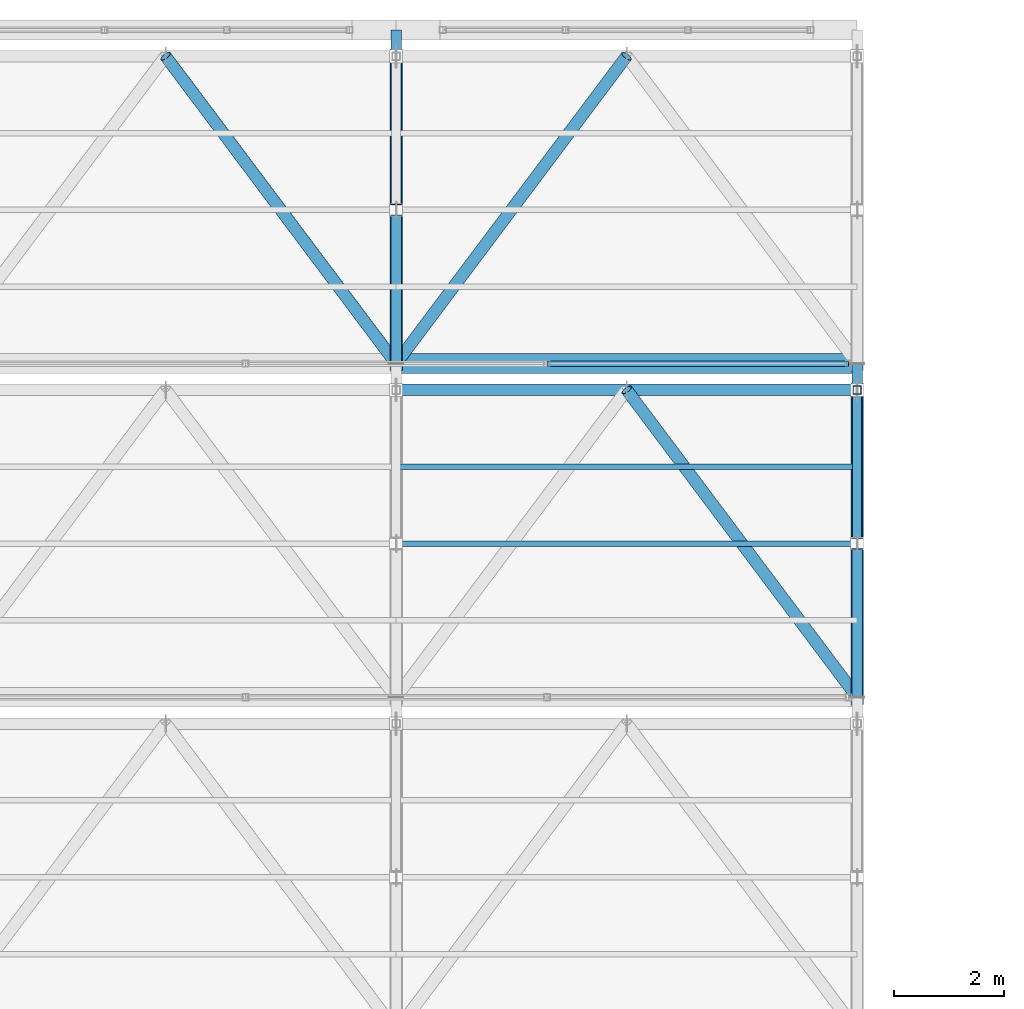
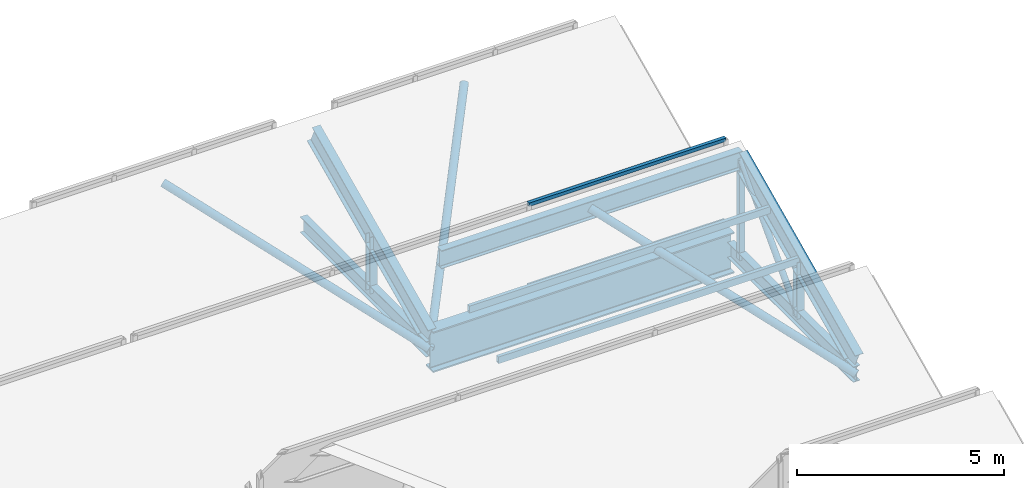
# One storey, part 128 of 217: 16 members, 1 beam, 1 element without a shape of its own.
"""IFC4 building model written with IfcOpenShell, lengths in metres."""

import ifcopenshell
import ifcopenshell.guid

model = None  # the IFC model being written
_history = None  # IfcOwnerHistory: only IFC2X3 demands one
_inside = {}  # id of a spatial element -> (the spatial element, [elements in it])
_under = {}  # id of a project, library or spatial element -> (it, [spatial elements below it])
_declared = {}  # id of a project -> (the project, [libraries it declares])
_typed = {}  # id of a type object -> (the type object, [elements of that type])
_made_of = {}  # id of a material, layer set ... -> (it, [elements and type objects made of it])


def new_model(schema):
    """Start an empty IFC model of exactly this schema.

    Asked for "IFC4X3", IfcOpenShell would pick the latest addendum, in which some entities
    have other attributes; the version numbers below select the first issue.
    IFC2X3 requires an IfcOwnerHistory on every rooted entity: one is made here for all.
    """
    global model, _history
    if schema == "IFC4X3":
        model = ifcopenshell.file(schema_version=(4, 3, 0, 0))
    else:
        model = ifcopenshell.file(schema=schema)
    _inside.clear()
    _under.clear()
    _declared.clear()
    _typed.clear()
    _made_of.clear()
    _history = None
    if model.schema == "IFC2X3":
        org = make("IfcOrganization", Name="unknown")
        user = make(
            "IfcPersonAndOrganization",
            ThePerson=make("IfcPerson", FamilyName="unknown"),
            TheOrganization=org,
        )
        app = make(
            "IfcApplication",
            ApplicationDeveloper=org,
            Version="unknown",
            ApplicationFullName="unknown",
            ApplicationIdentifier="unknown",
        )
        _history = make(
            "IfcOwnerHistory",
            OwningUser=user,
            OwningApplication=app,
            ChangeAction="ADDED",
            CreationDate=0,
        )
    return model


def make(cls, **values):
    """One entity of the class cls with the attributes given. An attribute that is None is left unset."""
    return model.create_entity(
        cls, **{name: value for name, value in values.items() if value is not None}
    )


def rooted(cls, **values):
    """An entity with a GlobalId (a new one), such as an element, a storey or a relation."""
    return make(cls, GlobalId=ifcopenshell.guid.new(), OwnerHistory=_history, **values)


def si_unit(unit_type, name, prefix=None):
    """IfcSIUnit, for example si_unit("LENGTHUNIT", "METRE", prefix="MILLI")."""
    return make("IfcSIUnit", UnitType=unit_type, Prefix=prefix, Name=name)


def assignment(units):
    """IfcUnitAssignment: the units of a project."""
    return None if units is None else make("IfcUnitAssignment", Units=units)


def point(xyz):
    """IfcCartesianPoint."""
    return None if xyz is None else make("IfcCartesianPoint", Coordinates=xyz)


def direction(xyz):
    """IfcDirection."""
    return None if xyz is None else make("IfcDirection", DirectionRatios=xyz)


def frame(location, z_axis=None, x_axis=None):
    """IfcAxis2Placement3D, a coordinate frame: its origin and axes. An axis left out is left unset."""
    return make(
        "IfcAxis2Placement3D",
        Location=point(location),
        Axis=direction(z_axis),
        RefDirection=direction(x_axis),
    )


def frame_2d(location, x_axis=None):
    """IfcAxis2Placement2D, a coordinate frame in the plane: its origin and x axis."""
    return make(
        "IfcAxis2Placement2D", Location=point(location), RefDirection=direction(x_axis)
    )


def origin():
    """The frame at (0, 0, 0) with its axes left unset."""
    return frame((0.0, 0.0, 0.0))


def origin_2d():
    """The frame at (0, 0) in the plane with its x axis left unset."""
    return frame_2d((0.0, 0.0))


def place(relative_to, where):
    """IfcLocalPlacement: puts the frame where relative to a parent placement (None: the world)."""
    return make(
        "IfcLocalPlacement", PlacementRelTo=relative_to, RelativePlacement=where
    )


def context(
    kind, dimensions, precision=None, world=None, true_north=None, identifier=None
):
    """IfcGeometricRepresentationContext, for example the 3D "Model" context."""
    return make(
        "IfcGeometricRepresentationContext",
        ContextIdentifier=identifier,
        ContextType=kind,
        CoordinateSpaceDimension=dimensions,
        Precision=precision,
        WorldCoordinateSystem=world,
        TrueNorth=true_north,
    )


def subcontext(parent, identifier, kind, view, scale=None):
    """IfcGeometricRepresentationSubContext, for example "Body" below "Model"."""
    return make(
        "IfcGeometricRepresentationSubContext",
        ContextIdentifier=identifier,
        ContextType=kind,
        ParentContext=parent,
        TargetScale=scale,
        TargetView=view,
    )


def project(units=None, contexts=None):
    """IfcProject with its units and contexts."""
    return rooted(
        "IfcProject",
        Name="project",
        RepresentationContexts=contexts,
        UnitsInContext=assignment(units),
    )


def spatial(cls, under=None, at=None, **own):
    """A site, building, storey or space (cls), placed at a placement, below another one or the project."""
    s = rooted(cls, ObjectPlacement=at, **own)
    if under is not None:
        _under.setdefault(under.id(), (under, []))[1].append(s)
    return s


def profile(cls, at=None, kind="AREA", **sizes):
    """A parametric profile (cls). Its sizes go by their IFC names, for example OverallWidth=200.0."""
    return make(cls, ProfileType=kind, Position=at, **sizes)


def hollow_rectangle(**sizes):
    """IfcRectangleHollowProfileDef."""
    return profile("IfcRectangleHollowProfileDef", **sizes)


def hollow_circle(**sizes):
    """IfcCircleHollowProfileDef."""
    return profile("IfcCircleHollowProfileDef", **sizes)


def i_section(**sizes):
    """IfcIShapeProfileDef."""
    return profile("IfcIShapeProfileDef", **sizes)


def extrude(swept, where, along, depth):
    """IfcExtrudedAreaSolid: the profile swept, set in the frame where, extruded along a direction by depth."""
    return make(
        "IfcExtrudedAreaSolid",
        SweptArea=swept,
        Position=where,
        ExtrudedDirection=direction(along),
        Depth=depth,
    )


def shape(context_of_items, identifier, shape_type, items):
    """IfcShapeRepresentation: the items that make up one representation, for example the "Body"."""
    return make(
        "IfcShapeRepresentation",
        ContextOfItems=context_of_items,
        RepresentationIdentifier=identifier,
        RepresentationType=shape_type,
        Items=items,
    )


def material(Name=None, Category=None):
    """IfcMaterial."""
    return make("IfcMaterial", Name=Name, Category=Category)


def material_profile(
    of_material, cross_section, Name=None, Category=None, Priority=None
):
    """IfcMaterialProfile: a cross section and its material."""
    return make(
        "IfcMaterialProfile",
        Name=Name,
        Material=of_material,
        Profile=cross_section,
        Priority=Priority,
        Category=Category,
    )


def profile_set(profiles, Name=None, composite=None):
    """IfcMaterialProfileSet."""
    return make(
        "IfcMaterialProfileSet",
        Name=Name,
        MaterialProfiles=profiles,
        CompositeProfile=composite,
    )


def made_of(thing, what):
    """Note that an element or type object is made of a material, layer set ...; save() writes the relation."""
    if what is not None:
        _made_of.setdefault(what.id(), (what, []))[1].append(thing)
    return thing


def type_object(cls, material=None, **own):
    """A type object (cls), such as IfcWallType, which elements share."""
    return made_of(rooted(cls, **own), material)


def element(
    cls,
    number,
    at=None,
    inside=None,
    cuts=None,
    type_object=None,
    material=None,
    context=None,
    identifier="Body",
    shape_type=None,
    held_by="IfcProductDefinitionShape",
    body=None,
    shapes=None,
    **own,
):
    """One element of the class cls, such as IfcWall. Its Tag is "e" and its number.

    at: its placement. inside: the storey or other place that contains it. cuts: it is an
    opening in that element (IfcRelVoidsElement). A single representation is given by context,
    identifier, shape_type and body (its items); several are given by shapes. held_by: the class
    of the entity that holds the representations. save() writes the other relations.
    """
    e = rooted(cls, Tag="e%d" % number, ObjectPlacement=at, **own)
    if body is not None:
        shapes = [shape(context, identifier, shape_type, body)]
    if shapes is not None:
        e.Representation = make(held_by, Representations=shapes)
    if inside is not None:
        _inside.setdefault(inside.id(), (inside, []))[1].append(e)
    if cuts is not None:
        rooted(
            "IfcRelVoidsElement", RelatingBuildingElement=cuts, RelatedOpeningElement=e
        )
    if type_object is not None:
        _typed.setdefault(type_object.id(), (type_object, []))[1].append(e)
    return made_of(e, material)


def aggregate(whole, parts):
    """IfcRelAggregates: a whole, such as a stair, and the parts it consists of."""
    return rooted("IfcRelAggregates", RelatingObject=whole, RelatedObjects=parts)


def save(model, path):
    """Write the relations noted so far, then the file.

    IfcRelAggregates (storeys below a building ...), IfcRelContainedInSpatialStructure (elements
    in a storey), IfcRelDefinesByType, IfcRelAssociatesMaterial and IfcRelDeclares: one each for
    every whole, place, type object, material and project.
    """
    for whole, parts in _under.values():
        aggregate(whole, parts)
    for where, things in _inside.values():
        rooted(
            "IfcRelContainedInSpatialStructure",
            RelatedElements=things,
            RelatingStructure=where,
        )
    for kind, things in _typed.values():
        rooted("IfcRelDefinesByType", RelatedObjects=things, RelatingType=kind)
    for what, things in _made_of.values():
        rooted("IfcRelAssociatesMaterial", RelatedObjects=things, RelatingMaterial=what)
    for by, libraries in _declared.values():
        rooted("IfcRelDeclares", RelatingContext=by, RelatedDefinitions=libraries)
    model.write(path)


model = new_model("IFC4")

# Units and contexts
model_context = context("Model", 3, precision=1e-05, world=origin(), true_north=direction((0.0, 1.0)))
body_context = subcontext(model_context, "Body", "Model", "MODEL_VIEW")
ifc_project = project(units=[si_unit("LENGTHUNIT", "METRE"), si_unit("AREAUNIT", "SQUARE_METRE"), si_unit("VOLUMEUNIT", "CUBIC_METRE"), si_unit("PLANEANGLEUNIT", "RADIAN"), si_unit("MASSUNIT", "GRAM", prefix="KILO")], contexts=[model_context])

# Site, building, storey
site_placement = place(None, origin())
site = spatial("IfcSite", under=ifc_project, at=site_placement, CompositionType="ELEMENT")
building_placement = place(site_placement, origin())
building = spatial("IfcBuilding", under=site, at=building_placement, Name="Zuvorla Pavilion Media Centre", CompositionType="ELEMENT")
storey_placement = place(building_placement, frame((0.0, 0.0, 9.60009765625)))
storey = spatial("IfcBuildingStorey", under=building, at=storey_placement, Name="L02", CompositionType="ELEMENT", Elevation=9.60009765625)

# Beam
ifc_material_1 = material(Name="Steel S355", Category="steel")
ifc_material_profile_1 = material_profile(ifc_material_1, i_section(OverallWidth=0.360107421875, OverallDepth=1.199951171875, WebThickness=0.02001953125, FlangeThickness=0.0380859375, FilletRadius=0.02392578125, at=origin_2d()), Name="PG 1200x360x38")
ifc_profile_set_1 = profile_set([ifc_material_profile_1], Name="Steel S355")
beam_type = type_object("IfcBeamType", Name="BM-PG1200", PredefinedType="BEAM", material=ifc_profile_set_1)
beam_placement = place(storey_placement, frame((125.60009765625, 113.919921875, -0.88818359375), z_axis=(1.0, 0.0, 0.0), x_axis=(0.0, 1.0, 0.0)))
element("IfcBeam", 1, at=beam_placement, inside=storey, type_object=beam_type, Name="L02 beam B01 1807", PredefinedType="BEAM", context=body_context, shape_type="SweptSolid", body=[
    extrude(i_section(OverallWidth=0.360107421875, OverallDepth=1.199951171875, WebThickness=0.02001953125, FlangeThickness=0.0380859375, FilletRadius=0.02392578125, at=origin_2d()), origin(), (0.0, 0.0, 1.0), 8.39990234375),
])

# Curtain wall, members
ifc_material_2 = material(Name="Unitised anodised aluminium and solar glass curtain wall", Category="aluminium")
curtain_wall_type = type_object("IfcCurtainWallType", Name="CW-SYS-88", PredefinedType="USERDEFINED", material=ifc_material_2)
curtain_wall_placement = place(storey_placement, origin())
curtain_wall = element("IfcCurtainWall", 2, at=curtain_wall_placement, inside=storey, type_object=curtain_wall_type, Name="L02 curtain wall CW88 215", ObjectType="CURTAIN WALL", PredefinedType="USERDEFINED")
ifc_material_3 = material(Name="Anodised aluminium 6063-T6", Category="aluminium")
ifc_material_profile_2 = material_profile(ifc_material_3, hollow_rectangle(XDim=0.10009765625, YDim=0.10009765625, WallThickness=0.00439453125, at=origin_2d()), Name="ALU TRAN 100x100")
ifc_profile_set_2 = profile_set([ifc_material_profile_2], Name="Anodised aluminium 6063-T6")
member_type_1 = type_object("IfcMemberType", Name="CW-TRAN-100", PredefinedType="USERDEFINED", material=ifc_profile_set_2)
member_1_placement = place(storey_placement, frame((128.3466796875, 113.919921875, 0.0), z_axis=(1.0, 0.0, 0.0), x_axis=(0.0, 1.0, 0.0)))
member_1 = element("IfcMember", 3, at=member_1_placement, type_object=member_type_1, Name="CW88 transom 3.1", ObjectType="TRANSOM", PredefinedType="USERDEFINED", context=body_context, shape_type="SweptSolid", body=[
    extrude(hollow_rectangle(XDim=0.10009765625, YDim=0.10009765625, WallThickness=0.00439453125, at=origin_2d()), origin(), (0.0, 0.0, 1.0), 5.493408203125),
])
member_2_placement = place(storey_placement, frame((128.3466796875, 113.919921875, 2.419921875), z_axis=(1.0, 0.0, 0.0), x_axis=(0.0, 1.0, 0.0)))
member_2 = element("IfcMember", 4, at=member_2_placement, type_object=member_type_1, Name="CW88 transom 3.2", ObjectType="TRANSOM", PredefinedType="USERDEFINED", context=body_context, shape_type="SweptSolid", body=[
    extrude(hollow_rectangle(XDim=0.10009765625, YDim=0.10009765625, WallThickness=0.00439453125, at=origin_2d()), origin(), (0.0, 0.0, 1.0), 5.493408203125),
])
aggregate(curtain_wall, [member_1, member_2])

# Members
ifc_material_profile_3 = material_profile(ifc_material_1, hollow_circle(Radius=0.084228515625, WallThickness=0.008056640625, at=origin_2d()), Name="CHS 168.3x8")
ifc_profile_set_3 = profile_set([ifc_material_profile_3], Name="Steel S355")
member_type_2 = type_object("IfcMemberType", Name="MEM-BRC-CHS168", PredefinedType="BRACE", material=ifc_profile_set_3)
member_3_placement = place(storey_placement, frame((134.0, 110.639892578125, -0.880126953125), z_axis=(0.0, 0.68676242614, 0.726881950555), x_axis=(-1.0, 0.0, 0.0)))
element("IfcMember", 5, at=member_3_placement, inside=storey, type_object=member_type_2, Name="L02 diagonal brace TB03 355", PredefinedType="BRACE", context=body_context, shape_type="SweptSolid", body=[
    extrude(hollow_circle(Radius=0.084228515625, WallThickness=0.008056640625, at=origin_2d()), origin(), (0.0, 0.0, 1.0), 4.0771484375),
])
ifc_material_profile_4 = material_profile(ifc_material_1, hollow_circle(Radius=0.109619140625, WallThickness=0.010009765625, at=origin_2d()), Name="CHS 219.1x10")
ifc_profile_set_4 = profile_set([ifc_material_profile_4], Name="Steel S355")
member_type_3 = type_object("IfcMemberType", Name="MEM-BRC-CHS219", PredefinedType="BRACE", material=ifc_profile_set_4)
member_4_placement = place(storey_placement, frame((129.800048828125, 113.43994140625, 2.08349609375), z_axis=(0.552524670006, -0.736688854033, -0.389879495972), x_axis=(0.799995814625, 0.600005580459, 0.0)))
element("IfcMember", 6, at=member_4_placement, inside=storey, type_object=member_type_3, Name="L02 diagonal brace TB02 401", PredefinedType="BRACE", context=body_context, shape_type="SweptSolid", body=[
    extrude(hollow_circle(Radius=0.109619140625, WallThickness=0.010009765625, at=origin_2d()), origin(), (0.0, 0.0, 1.0), 7.601318359375),
])
member_5_placement = place(storey_placement, frame((121.39990234375, 119.52001953125, 2.08349609375), z_axis=(0.552533909139, -0.736690467788, -0.389863352885), x_axis=(0.79999162962, 0.600011160345, 0.0)))
element("IfcMember", 7, at=member_5_placement, inside=storey, type_object=member_type_3, Name="L02 diagonal brace TB02 488", PredefinedType="BRACE", context=body_context, shape_type="SweptSolid", body=[
    extrude(hollow_circle(Radius=0.109619140625, WallThickness=0.010009765625, at=origin_2d()), origin(), (0.0, 0.0, 1.0), 7.601806640625),
])
member_6_placement = place(storey_placement, frame((125.60009765625, 113.919921875, -0.880126953125), z_axis=(0.552511596944, 0.736703540702, 0.389870271191), x_axis=(-0.800008370399, 0.599988839305, 0.0)))
element("IfcMember", 8, at=member_6_placement, inside=storey, type_object=member_type_3, Name="L02 diagonal brace TB02 493", PredefinedType="BRACE", context=body_context, shape_type="SweptSolid", body=[
    extrude(hollow_circle(Radius=0.109619140625, WallThickness=0.010009765625, at=origin_2d()), origin(), (0.0, 0.0, 1.0), 7.6015625),
])
ifc_material_profile_5 = material_profile(ifc_material_1, i_section(OverallWidth=0.19140625, OverallDepth=0.4599609375, WebThickness=0.010009765625, FlangeThickness=0.01611328125, FilletRadius=0.01025390625, at=origin_2d()), Name="UB 457x191x82")
ifc_profile_set_5 = profile_set([ifc_material_profile_5], Name="Steel S355")
member_type_4 = type_object("IfcMemberType", Name="MEM-CHD-UB457", PredefinedType="CHORD", material=ifc_profile_set_5)
member_7_placement = place(storey_placement, frame((134.0, 107.840087890625, -0.880126953125), z_axis=(0.0, 1.0, 0.0), x_axis=(-1.0, 0.0, 0.0)))
element("IfcMember", 9, at=member_7_placement, inside=storey, type_object=member_type_4, Name="L02 chord TC03 352", PredefinedType="CHORD", context=body_context, shape_type="SweptSolid", body=[
    extrude(i_section(OverallWidth=0.19140625, OverallDepth=0.4599609375, WebThickness=0.010009765625, FlangeThickness=0.01611328125, FilletRadius=0.01025390625, at=origin_2d()), origin(), (0.0, 0.0, 1.0), 6.079833984375),
])
member_8_placement = place(storey_placement, frame((125.60009765625, 113.919921875, -0.880126953125), z_axis=(0.0, 1.0, 0.0), x_axis=(-1.0, 0.0, 0.0)))
element("IfcMember", 10, at=member_8_placement, inside=storey, type_object=member_type_4, Name="L02 chord TC03 440", PredefinedType="CHORD", context=body_context, shape_type="SweptSolid", body=[
    extrude(i_section(OverallWidth=0.19140625, OverallDepth=0.4599609375, WebThickness=0.010009765625, FlangeThickness=0.01611328125, FilletRadius=0.01025390625, at=origin_2d()), origin(), (0.0, 0.0, 1.0), 6.080078125),
])
ifc_material_profile_6 = material_profile(ifc_material_1, i_section(OverallWidth=0.2099609375, OverallDepth=0.53662109375, WebThickness=0.0107421875, FlangeThickness=0.017333984375, FilletRadius=0.0126953125, at=origin_2d()), Name="UB 533x210x101")
ifc_profile_set_6 = profile_set([ifc_material_profile_6], Name="Steel S355")
member_type_5 = type_object("IfcMemberType", Name="MEM-CHD-UB533", PredefinedType="CHORD", material=ifc_profile_set_6)
member_9_placement = place(storey_placement, frame((125.60009765625, 113.43994140625, 2.08349609375), z_axis=(1.0, 0.0, 0.0), x_axis=(0.0, 1.0, 0.0)))
element("IfcMember", 11, at=member_9_placement, inside=storey, type_object=member_type_5, Name="L02 chord TC02 399", PredefinedType="CHORD", context=body_context, shape_type="SweptSolid", body=[
    extrude(i_section(OverallWidth=0.2099609375, OverallDepth=0.53662109375, WebThickness=0.0107421875, FlangeThickness=0.017333984375, FilletRadius=0.0126953125, at=origin_2d()), origin(), (0.0, 0.0, 1.0), 8.39990234375),
])
ifc_material_profile_7 = material_profile(ifc_material_1, i_section(OverallWidth=0.22900390625, OverallDepth=0.6123046875, WebThickness=0.011962890625, FlangeThickness=0.01953125, FilletRadius=0.0126953125, at=origin_2d()), Name="UB 610x229x125")
ifc_profile_set_7 = profile_set([ifc_material_profile_7], Name="Steel S355")
member_type_6 = type_object("IfcMemberType", Name="MEM-CHD-UB610", PredefinedType="CHORD", material=ifc_profile_set_7)
member_10_placement = place(storey_placement, frame((134.0, 107.840087890625, -0.5166015625), z_axis=(0.0, 0.906998718654, 0.421133380724), x_axis=(-1.0, 0.0, 0.0)))
element("IfcMember", 12, at=member_10_placement, inside=storey, type_object=member_type_6, Name="L02 chord TC01 353", PredefinedType="CHORD", context=body_context, shape_type="SweptSolid", body=[
    extrude(i_section(OverallWidth=0.22900390625, OverallDepth=0.6123046875, WebThickness=0.011962890625, FlangeThickness=0.01953125, FilletRadius=0.0126953125, at=origin_2d()), origin(), (0.0, 0.0, 1.0), 6.174072265625),
])
member_11_placement = place(storey_placement, frame((125.60009765625, 113.919921875, -0.5166015625), z_axis=(0.0, 0.907005731366, 0.421118277053), x_axis=(-1.0, 0.0, 0.0)))
element("IfcMember", 13, at=member_11_placement, inside=storey, type_object=member_type_6, Name="L02 chord TC01 441", PredefinedType="CHORD", context=body_context, shape_type="SweptSolid", body=[
    extrude(i_section(OverallWidth=0.22900390625, OverallDepth=0.6123046875, WebThickness=0.011962890625, FlangeThickness=0.01953125, FilletRadius=0.0126953125, at=origin_2d()), origin(), (0.0, 0.0, 1.0), 6.17431640625),
])
ifc_material_profile_8 = material_profile(ifc_material_1, hollow_rectangle(XDim=0.10009765625, YDim=0.199951171875, WallThickness=0.008056640625, at=origin_2d()), Name="RHS 200x100x8")
ifc_profile_set_8 = profile_set([ifc_material_profile_8], Name="Steel S355")
member_type_7 = type_object("IfcMemberType", Name="MEM-PUR-RHS200", PredefinedType="PURLIN", material=ifc_profile_set_8)
for number, where, z_axis, x_axis, name in (
    (14, (125.60009765625, 110.639892578125, 0.783447265625), (1.0, 0.0, 0.0), (0.0, 1.0, 0.0), "L02 purlin PR01 403"),
    (15, (125.60009765625, 112.0400390625, 1.43359375), (1.0, 0.0, 0.0), (0.0, 1.0, 0.0), "L02 purlin PR01 404"),
):
    element("IfcMember", number, at=place(storey_placement, frame(where, z_axis=z_axis, x_axis=x_axis)), inside=storey, type_object=member_type_7, Name=name, PredefinedType="PURLIN", context=body_context, shape_type="SweptSolid", body=[
        extrude(hollow_rectangle(XDim=0.10009765625, YDim=0.199951171875, WallThickness=0.008056640625, at=origin_2d()), origin(), (0.0, 0.0, 1.0), 8.39990234375),
    ])
ifc_material_profile_9 = material_profile(ifc_material_1, hollow_rectangle(XDim=0.14990234375, YDim=0.14990234375, WallThickness=0.008056640625, at=origin_2d()), Name="SHS 150x150x8")
ifc_profile_set_9 = profile_set([ifc_material_profile_9], Name="Steel S355")
member_type_8 = type_object("IfcMemberType", Name="MEM-STR-SHS150", PredefinedType="STRUT", material=ifc_profile_set_9)
member_12_placement = place(storey_placement, frame((134.0, 113.43994140625, -0.880126953125), z_axis=(0.0, 0.0, 1.0), x_axis=(1.0, 0.0, 0.0)))
element("IfcMember", 16, at=member_12_placement, inside=storey, type_object=member_type_8, Name="L02 vertical strut TS01 354", PredefinedType="STRUT", context=body_context, shape_type="SweptSolid", body=[
    extrude(hollow_rectangle(XDim=0.14990234375, YDim=0.14990234375, WallThickness=0.008056640625, at=origin_2d()), origin(), (0.0, 0.0, 1.0), 2.963623046875),
])
ifc_material_profile_10 = material_profile(ifc_material_1, i_section(OverallWidth=0.205810546875, OverallDepth=0.209716796875, WebThickness=0.009521484375, FlangeThickness=0.01416015625, FilletRadius=0.01025390625, at=origin_2d()), Name="UC 203x203x60")
ifc_profile_set_10 = profile_set([ifc_material_profile_10], Name="Steel S355")
member_type_9 = type_object("IfcMemberType", Name="MEM-STR-UC203", PredefinedType="STRUT", material=ifc_profile_set_10)
for number, where, z_axis, x_axis, name in (
    (17, (134.0, 110.639892578125, -0.880126953125), (0.0, 0.0, 1.0), (1.0, 0.0, 0.0), "L02 vertical strut TS02 356"),
    (18, (125.60009765625, 116.719970703125, -0.880126953125), (0.0, 0.0, 1.0), (1.0, 0.0, 0.0), "L02 vertical strut TS02 444"),
):
    element("IfcMember", number, at=place(storey_placement, frame(where, z_axis=z_axis, x_axis=x_axis)), inside=storey, type_object=member_type_9, Name=name, PredefinedType="STRUT", context=body_context, shape_type="SweptSolid", body=[
        extrude(i_section(OverallWidth=0.205810546875, OverallDepth=0.209716796875, WebThickness=0.009521484375, FlangeThickness=0.01416015625, FilletRadius=0.01025390625, at=origin_2d()), origin(), (0.0, 0.0, 1.0), 1.66357421875),
    ])

save(model, "model.ifc")
